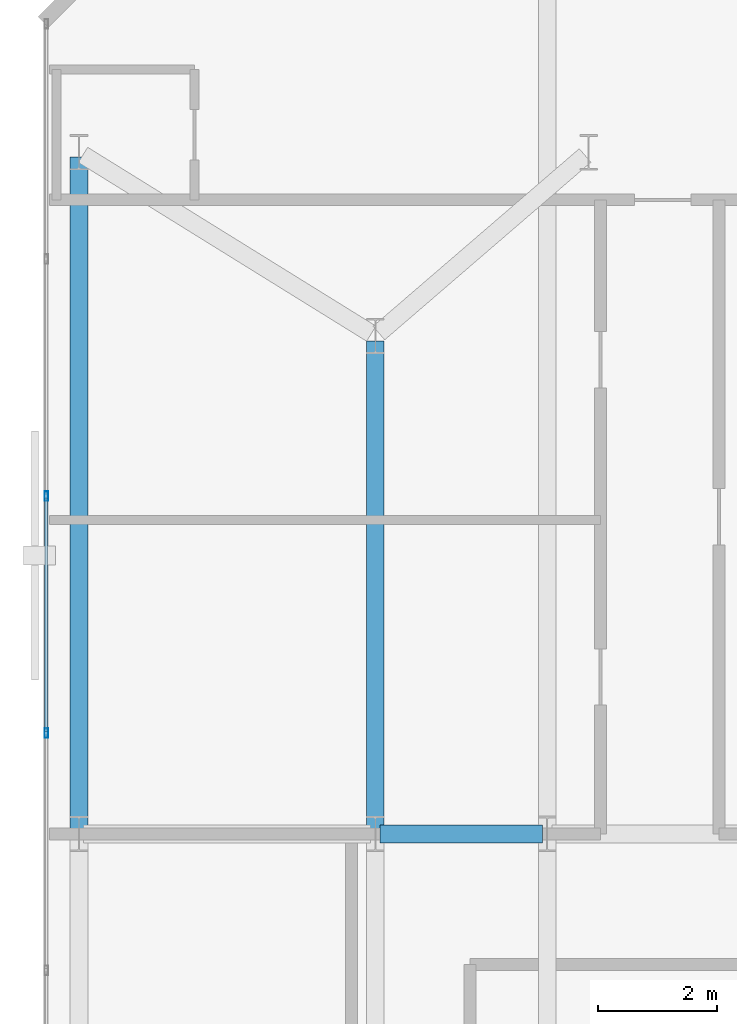
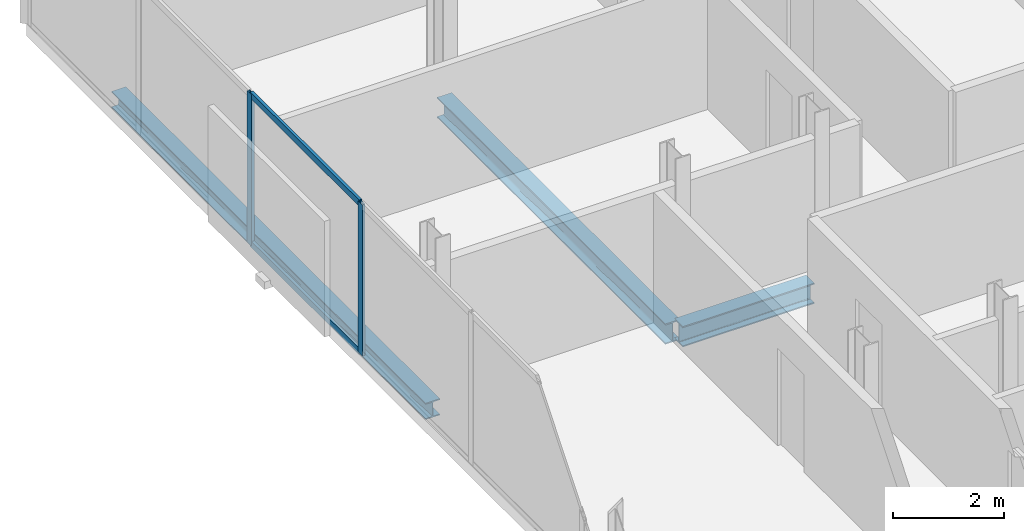
# One storey, part 11 of 32: 4 members, 3 beams, 1 element without a shape of its own.
"""IFC4 building model written with IfcOpenShell, lengths in metres."""

from ifc_helpers import new_model, si_unit, direction, frame, origin, origin_2d, place, context, subcontext, project, spatial, hollow_rectangle, i_section, extrude, material, layer, layer_set, material_profile, profile_set, type_object, element, aggregate, save


model = new_model("IFC4")

# Units and contexts
model_context = context("Model", 3, precision=1e-05, world=origin(), true_north=direction((0.0, 1.0)))
body_context = subcontext(model_context, "Body", "Model", "MODEL_VIEW")
ifc_project = project(units=[si_unit("LENGTHUNIT", "METRE"), si_unit("AREAUNIT", "SQUARE_METRE"), si_unit("VOLUMEUNIT", "CUBIC_METRE"), si_unit("PLANEANGLEUNIT", "RADIAN"), si_unit("MASSUNIT", "GRAM", prefix="KILO")], contexts=[model_context])

# Site, building, storey
site_placement = place(None, origin())
site = spatial("IfcSite", under=ifc_project, at=site_placement, CompositionType="ELEMENT")
building_placement = place(site_placement, origin())
building = spatial("IfcBuilding", under=site, at=building_placement, Name="Catumbela Crestline Tower", CompositionType="ELEMENT")
storey_placement = place(building_placement, frame((0.0, 0.0, 129.6)))
storey = spatial("IfcBuildingStorey", under=building, at=storey_placement, Name="L33", CompositionType="ELEMENT", Elevation=129.6)

# Beams
ifc_material_1 = material(Name="Structural steel S355J2", Category="steel")
ifc_material_profile_1 = material_profile(ifc_material_1, i_section(OverallWidth=0.3, OverallDepth=0.45, WebThickness=0.014, FlangeThickness=0.026, FilletRadius=0.027, at=origin_2d()), Name="HEB 450")
ifc_profile_set_1 = profile_set([ifc_material_profile_1], Name="Structural steel S355J2")
beam_type_1 = type_object("IfcBeamType", Name="BG-HEB450", PredefinedType="BEAM", material=ifc_profile_set_1)
beam_1_placement = place(storey_placement, frame((5.68, 30.8, -0.485), z_axis=(1.0, 0.0, 0.0), x_axis=(0.0, 1.0, 0.0)))
element("IfcBeam", 1, at=beam_1_placement, inside=storey, type_object=beam_type_1, Name="L33 Beam BM-L33-M08", PredefinedType="BEAM", context=body_context, shape_type="SweptSolid", body=[
    extrude(i_section(OverallWidth=0.3, OverallDepth=0.45, WebThickness=0.014, FlangeThickness=0.026, FilletRadius=0.027, at=origin_2d()), origin(), (0.0, 0.0, 1.0), 2.74),
])
beam_2_placement = place(storey_placement, frame((5.6, 30.88, -0.485), z_axis=(0.0, 1.0, 0.0), x_axis=(-1.0, 0.0, 0.0)))
element("IfcBeam", 2, at=beam_2_placement, inside=storey, type_object=beam_type_1, Name="L33 Beam BM-L33-SN25", PredefinedType="BEAM", context=body_context, shape_type="SweptSolid", body=[
    extrude(i_section(OverallWidth=0.3, OverallDepth=0.45, WebThickness=0.014, FlangeThickness=0.026, FilletRadius=0.027, at=origin_2d()), origin(), (0.0, 0.0, 1.0), 8.24),
])

# Curtain wall, members
ifc_material_2 = material(Name="Aluminium alloy AW-6060-T66", Category="aluminium")
ifc_layer = layer(ifc_material_2, 0.18, Name="Aluminium alloy AW-6060-T66")
ifc_layer_set = layer_set([ifc_layer], Name="Aluminium alloy AW-6060-T66")
curtain_wall_type = type_object("IfcCurtainWallType", Name="CWU-Z2", PredefinedType="USERDEFINED", material=ifc_layer_set)
curtain_wall_placement = place(storey_placement, origin())
curtain_wall = element("IfcCurtainWall", 3, at=curtain_wall_placement, inside=storey, type_object=curtain_wall_type, Name="L33 Unitised Curtain Wall CW-L33-E9S1", ObjectType="UNITISED", PredefinedType="USERDEFINED")
ifc_material_profile_2 = material_profile(ifc_material_2, hollow_rectangle(XDim=0.06, YDim=0.16, WallThickness=0.004, at=origin_2d()), Name="ALU 160x60x4")
ifc_profile_set_2 = profile_set([ifc_material_profile_2], Name="Aluminium alloy AW-6060-T66")
member_type_1 = type_object("IfcMemberType", Name="MUL-160X60", PredefinedType="MULLION", material=ifc_profile_set_2)
member_1_placement = place(storey_placement, frame((0.05, 36.5, 0.0), z_axis=(0.0, 0.0, 1.0), x_axis=(1.0, 0.0, 0.0)))
member_1 = element("IfcMember", 4, at=member_1_placement, type_object=member_type_1, Name="CWU-Z2 mullion 3", PredefinedType="MULLION", context=body_context, shape_type="SweptSolid", body=[
    extrude(hollow_rectangle(XDim=0.06, YDim=0.16, WallThickness=0.004, at=origin_2d()), origin(), (0.0, 0.0, 1.0), 3.33),
])
member_2_placement = place(storey_placement, frame((0.05, 32.5, 0.0), z_axis=(0.0, 0.0, 1.0), x_axis=(1.0, 0.0, 0.0)))
member_2 = element("IfcMember", 5, at=member_2_placement, type_object=member_type_1, Name="CWU-Z2 mullion 4", PredefinedType="MULLION", context=body_context, shape_type="SweptSolid", body=[
    extrude(hollow_rectangle(XDim=0.06, YDim=0.16, WallThickness=0.004, at=origin_2d()), origin(), (0.0, 0.0, 1.0), 3.33),
])

# Beam
ifc_material_profile_3 = material_profile(ifc_material_1, i_section(OverallWidth=0.3, OverallDepth=0.36, WebThickness=0.0125, FlangeThickness=0.0225, FilletRadius=0.027, at=origin_2d()), Name="HEB 360")
ifc_profile_set_3 = profile_set([ifc_material_profile_3], Name="Structural steel S355J2")
beam_type_2 = type_object("IfcBeamType", Name="BS-HEB360", PredefinedType="SPANDREL", material=ifc_profile_set_3)
beam_3_placement = place(storey_placement, frame((0.6, 30.88, -0.44), z_axis=(0.0, 1.0, 0.0), x_axis=(-1.0, 0.0, 0.0)))
element("IfcBeam", 6, at=beam_3_placement, inside=storey, type_object=beam_type_2, Name="L33 Spandrel SP-L33-SN23", PredefinedType="SPANDREL", context=body_context, shape_type="SweptSolid", body=[
    extrude(i_section(OverallWidth=0.3, OverallDepth=0.36, WebThickness=0.0125, FlangeThickness=0.0225, FilletRadius=0.027, at=origin_2d()), origin(), (0.0, 0.0, 1.0), 11.34),
])

# Member
ifc_material_profile_4 = material_profile(ifc_material_2, hollow_rectangle(XDim=0.06, YDim=0.14, WallThickness=0.004, at=origin_2d()), Name="ALU 140x60x4")
ifc_profile_set_4 = profile_set([ifc_material_profile_4], Name="Aluminium alloy AW-6060-T66")
member_type_2 = type_object("IfcMemberType", Name="TRN-140X60", PredefinedType="USERDEFINED", material=ifc_profile_set_4)
member_3_placement = place(storey_placement, frame((0.05, 36.4675, 0.03), z_axis=(0.0, -1.0, 0.0), x_axis=(1.0, 0.0, 0.0)))
member_3 = element("IfcMember", 7, at=member_3_placement, type_object=member_type_2, Name="CWU-Z2 transom 3.1", ObjectType="TRANSOM", PredefinedType="USERDEFINED", context=body_context, shape_type="SweptSolid", body=[
    extrude(hollow_rectangle(XDim=0.06, YDim=0.14, WallThickness=0.004, at=origin_2d()), origin(), (0.0, 0.0, 1.0), 3.935),
])

member_4_placement = place(storey_placement, frame((0.05, 36.4675, 3.3), z_axis=(0.0, -1.0, 0.0), x_axis=(1.0, 0.0, 0.0)))
member_4 = element("IfcMember", 8, at=member_4_placement, type_object=member_type_2, Name="CWU-Z2 transom 3.2", ObjectType="TRANSOM", PredefinedType="USERDEFINED", context=body_context, shape_type="SweptSolid", body=[
    extrude(hollow_rectangle(XDim=0.06, YDim=0.14, WallThickness=0.004, at=origin_2d()), origin(), (0.0, 0.0, 1.0), 3.935),
])

aggregate(curtain_wall, [member_1, member_2, member_3, member_4])

save(model, "model.ifc")
